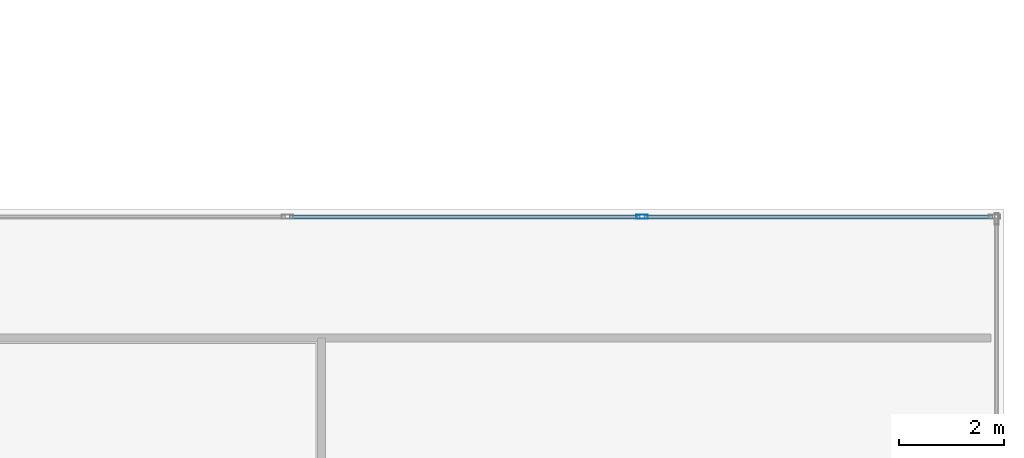
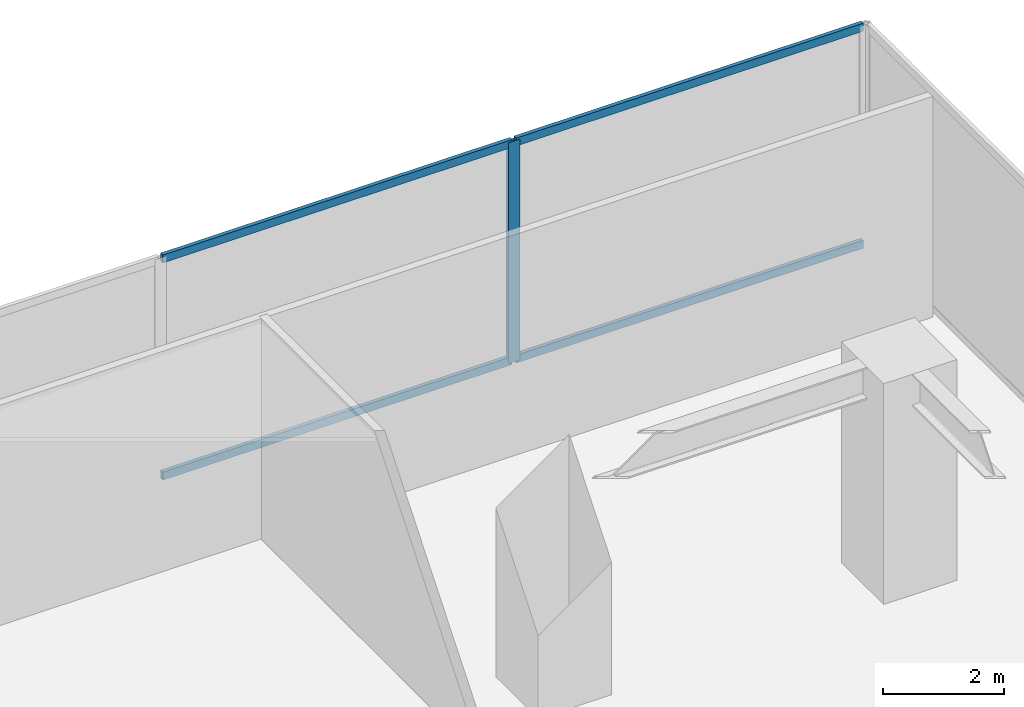
# One storey, part 6 of 16: 5 members, 1 element without a shape of its own.
"""IFC4 building model written with IfcOpenShell, lengths in metres."""

from ifc_helpers import new_model, si_unit, direction, frame, origin, origin_with_axes, origin_2d, place, context, subcontext, project, spatial, hollow_rectangle, extrude, source, transform, mapped, material, layer, layer_set, material_profile, profile_set, type_object, element, aggregate, save


model = new_model("IFC4")

# Units and contexts
model_context = context("Model", 3, precision=1e-05, world=origin(), true_north=direction((0.0, 1.0)))
body_context = subcontext(model_context, "Body", "Model", "MODEL_VIEW")
ifc_project = project(units=[si_unit("LENGTHUNIT", "METRE"), si_unit("AREAUNIT", "SQUARE_METRE"), si_unit("VOLUMEUNIT", "CUBIC_METRE"), si_unit("PLANEANGLEUNIT", "RADIAN"), si_unit("MASSUNIT", "GRAM", prefix="KILO")], contexts=[model_context])

# Site, building, storey
site_placement = place(None, origin())
site = spatial("IfcSite", under=ifc_project, at=site_placement, CompositionType="ELEMENT")
building_placement = place(site_placement, origin())
building = spatial("IfcBuilding", under=site, at=building_placement, Name="Kolvaren Waterfront Exchange", CompositionType="ELEMENT")
storey_placement = place(building_placement, frame((0.0, 0.0, 15.199951171875)))
storey = spatial("IfcBuildingStorey", under=building, at=storey_placement, Name="L04", CompositionType="ELEMENT", Elevation=15.199951171875)

# Curtain wall, members
ifc_material_1 = material(Name="Anodised bronze aluminium 6063-T6", Category="aluminium")
ifc_layer = layer(ifc_material_1, 0.219970703125, Name="Anodised bronze aluminium 6063-T6")
ifc_layer_set = layer_set([ifc_layer], Name="Anodised bronze aluminium 6063-T6")
curtain_wall_type = type_object("IfcCurtainWallType", Name="ARC-CW-SYS4", PredefinedType="USERDEFINED", material=ifc_layer_set)
curtain_wall_placement = place(storey_placement, origin())
curtain_wall = element("IfcCurtainWall", 1, at=curtain_wall_placement, inside=storey, type_object=curtain_wall_type, Name="L04 stick curtain wall CW4 (CW-L04-E2)", ObjectType="STICK CURTAIN WALL", PredefinedType="USERDEFINED")
ifc_material_2 = material(Name="Anodised aluminium 6063-T6", Category="aluminium")
ifc_material_profile_1 = material_profile(ifc_material_2, hollow_rectangle(XDim=0.080078125, YDim=0.219970703125, WallThickness=0.0048828125, at=origin_2d()), Name="ALU-MUL-220x80x5")
ifc_profile_set_1 = profile_set([ifc_material_profile_1], Name="Anodised aluminium 6063-T6")
member_type_1 = type_object("IfcMemberType", Name="ARC-CWM-220", PredefinedType="MULLION", material=ifc_profile_set_1)
shared_shape_1 = source(origin_with_axes(), body_context, "Body", "SweptSolid", [
    extrude(hollow_rectangle(XDim=0.080078125, YDim=0.219970703125, WallThickness=0.0048828125, at=origin_2d()), origin(), (0.0, 0.0, 1.0), 4.4599609375),
])
member_1_placement = place(storey_placement, frame((57.907470703125, 39.06005859375, 0.0), z_axis=(0.0, 0.0, 1.0), x_axis=(0.0, -1.0, 0.0)))
member_1 = element("IfcMember", 2, at=member_1_placement, type_object=member_type_1, Name="CW4 mullion 2", PredefinedType="MULLION", context=body_context, shape_type="MappedRepresentation", body=[
    mapped(shared_shape_1, transform((0.0, 0.0, 0.0), x_axis=(1.0, 0.0, 0.0), y_axis=(0.0, 1.0, 0.0), z_axis=(0.0, 0.0, 1.0), scale=1.0)),
])
ifc_material_profile_2 = material_profile(ifc_material_2, hollow_rectangle(XDim=0.074951171875, YDim=0.159912109375, WallThickness=0.00439453125, at=origin_2d()), Name="ALU-TRN-160x75x4.5")
ifc_profile_set_2 = profile_set([ifc_material_profile_2], Name="Anodised aluminium 6063-T6")
member_type_2 = type_object("IfcMemberType", Name="ARC-CWT-160", PredefinedType="USERDEFINED", material=ifc_profile_set_2)
shared_shape_2 = source(origin_with_axes(), body_context, "Body", "SweptSolid", [
    extrude(hollow_rectangle(XDim=0.074951171875, YDim=0.159912109375, WallThickness=0.00439453125, at=origin_2d()), origin(), (0.0, 0.0, 1.0), 6.632568359375),
])
member_2_placement = place(storey_placement, frame((64.580078125, 39.06005859375, 0.03759765625), z_axis=(-1.0, 0.0, 0.0), x_axis=(0.0, -1.0, 0.0)))
member_2 = element("IfcMember", 3, at=member_2_placement, type_object=member_type_2, Name="CW4 transom 1.1", ObjectType="TRANSOM", PredefinedType="USERDEFINED", context=body_context, shape_type="MappedRepresentation", body=[
    mapped(shared_shape_2, transform((0.0, 0.0, 0.0), x_axis=(1.0, 0.0, 0.0), y_axis=(0.0, 1.0, 0.0), z_axis=(0.0, 0.0, 1.0), scale=1.0)),
])
member_3_placement = place(storey_placement, frame((64.580078125, 39.06005859375, 4.422607421875), z_axis=(-1.0, 0.0, 0.0), x_axis=(0.0, -1.0, 0.0)))
member_3 = element("IfcMember", 4, at=member_3_placement, type_object=member_type_2, Name="CW4 transom 1.2", ObjectType="TRANSOM", PredefinedType="USERDEFINED", context=body_context, shape_type="MappedRepresentation", body=[
    mapped(shared_shape_2, transform((0.0, 0.0, 0.0), x_axis=(1.0, 0.0, 0.0), y_axis=(0.0, 1.0, 0.0), z_axis=(0.0, 0.0, 1.0), scale=1.0)),
])
shared_shape_3 = source(origin_with_axes(), body_context, "Body", "SweptSolid", [
    extrude(hollow_rectangle(XDim=0.074951171875, YDim=0.159912109375, WallThickness=0.00439453125, at=origin_2d()), origin(), (0.0, 0.0, 1.0), 6.67236328125),
])
member_4_placement = place(storey_placement, frame((57.867431640625, 39.06005859375, 0.03759765625), z_axis=(-1.0, 0.0, 0.0), x_axis=(0.0, -1.0, 0.0)))
member_4 = element("IfcMember", 5, at=member_4_placement, type_object=member_type_2, Name="CW4 transom 2.1", ObjectType="TRANSOM", PredefinedType="USERDEFINED", context=body_context, shape_type="MappedRepresentation", body=[
    mapped(shared_shape_3, transform((0.0, 0.0, 0.0), x_axis=(1.0, 0.0, 0.0), y_axis=(0.0, 1.0, 0.0), z_axis=(0.0, 0.0, 1.0), scale=1.0)),
])
member_5_placement = place(storey_placement, frame((57.867431640625, 39.06005859375, 4.422607421875), z_axis=(-1.0, 0.0, 0.0), x_axis=(0.0, -1.0, 0.0)))
member_5 = element("IfcMember", 6, at=member_5_placement, type_object=member_type_2, Name="CW4 transom 2.2", ObjectType="TRANSOM", PredefinedType="USERDEFINED", context=body_context, shape_type="MappedRepresentation", body=[
    mapped(shared_shape_3, transform((0.0, 0.0, 0.0), x_axis=(1.0, 0.0, 0.0), y_axis=(0.0, 1.0, 0.0), z_axis=(0.0, 0.0, 1.0), scale=1.0)),
])
aggregate(curtain_wall, [member_1, member_2, member_3, member_4, member_5])

save(model, "model.ifc")
